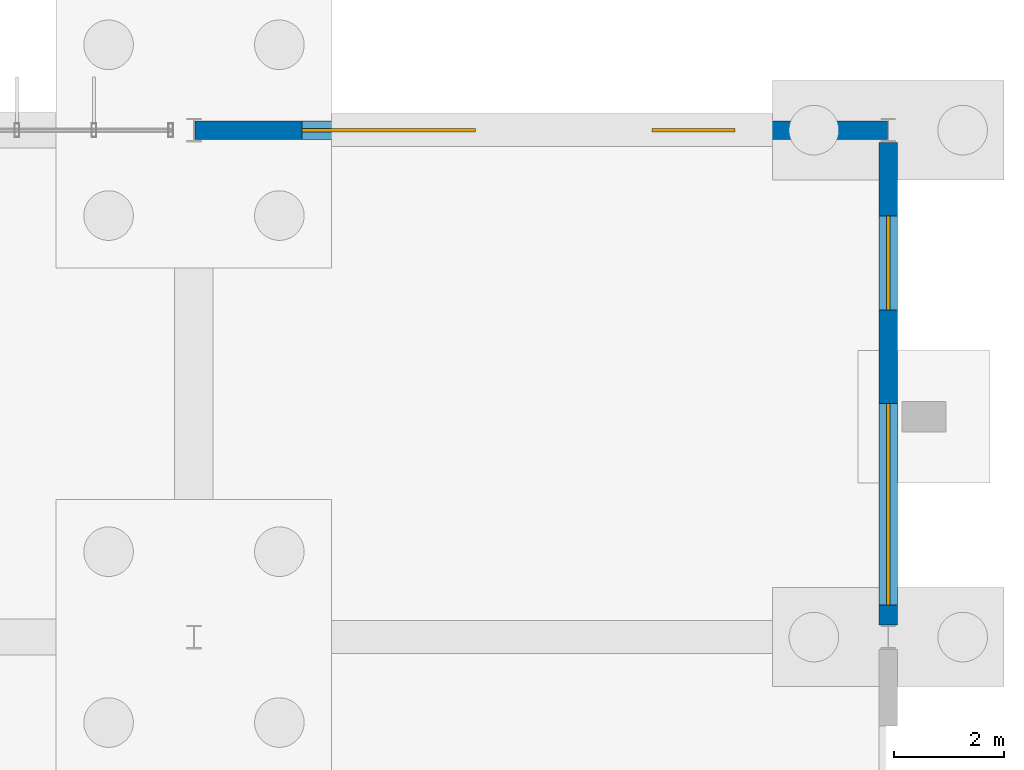
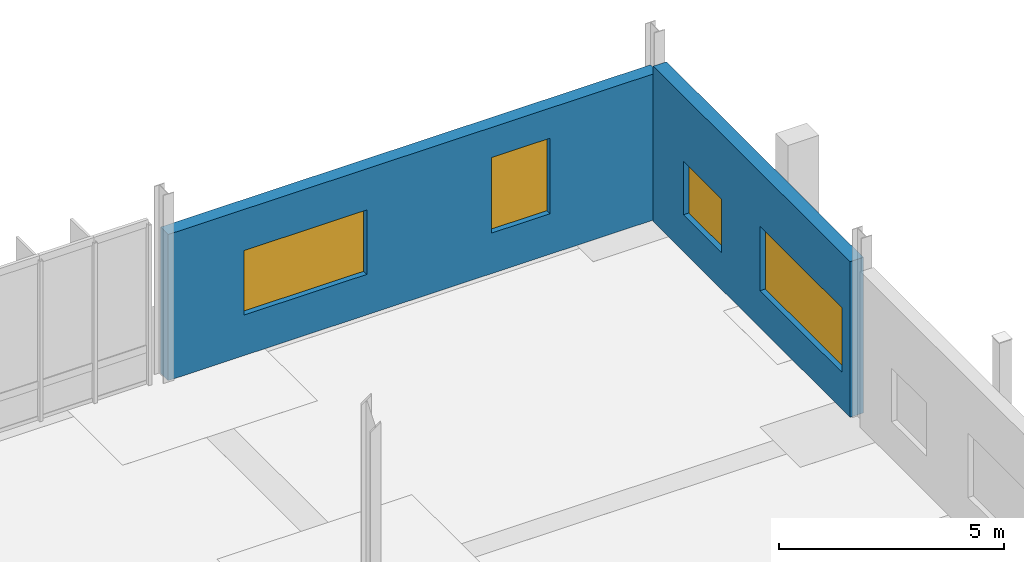
# One storey, part 89 of 119: 4 windows, 2 walls, 4 openings.
"""IFC4 building model written with IfcOpenShell, lengths in metres."""

from ifc_helpers import new_model, si_unit, derived_unit, direction, frame, frame_2d, origin, place, context, subcontext, project, spatial, rectangle, extrude, material, layer, layer_set, type_object, element, fill, save


model = new_model("IFC4")

# Units and contexts
model_context = context("Model", 3, precision=1e-05, world=origin(), true_north=direction((0.0, 1.0)))
body_context = subcontext(model_context, "Body", "Model", "MODEL_VIEW")
ifc_project = project(units=[si_unit("LENGTHUNIT", "METRE"), si_unit("AREAUNIT", "SQUARE_METRE"), si_unit("VOLUMEUNIT", "CUBIC_METRE"), si_unit("PLANEANGLEUNIT", "RADIAN"), si_unit("MASSUNIT", "GRAM", prefix="KILO"), derived_unit("THERMALTRANSMITTANCEUNIT", [(si_unit("MASSUNIT", "GRAM", prefix="KILO"), 1), (si_unit("TIMEUNIT", "SECOND"), -3), (si_unit("THERMODYNAMICTEMPERATUREUNIT", "KELVIN"), -1)])], contexts=[model_context])

# Site, building, storey
site_placement = place(None, origin())
site = spatial("IfcSite", under=ifc_project, at=site_placement, CompositionType="ELEMENT")
building_placement = place(site_placement, origin())
building = spatial("IfcBuilding", under=site, at=building_placement, Name="Makaiwela Harbour Ferry Terminal", CompositionType="ELEMENT")
storey_placement = place(building_placement, origin())
storey = spatial("IfcBuildingStorey", under=building, at=storey_placement, Name="L00", CompositionType="ELEMENT", Elevation=0.0)

# Wall, openings, windows
ifc_material_1 = material(Name="Precast concrete f'c 40 MPa (6000 psi) with Hawaiian basalt rainscreen", Category="masonry")
ifc_layer = layer(ifc_material_1, 0.340087890625)
ifc_layer_set = layer_set([ifc_layer], Name="Precast concrete f'c 40 MPa (6000 psi) with Hawaiian basalt rainscreen")
wall_type = type_object("IfcWallType", Name="ENV-WL-EXT340", PredefinedType="SOLIDWALL", material=ifc_layer_set)
wall_1_placement = place(storey_placement, frame((180.0, 94.776611328125, 0.0), z_axis=(0.0, 0.0, 1.0), x_axis=(0.0, -1.0, 0.0)))
wall_1 = element("IfcWall", 1, at=wall_1_placement, inside=storey, type_object=wall_type, Name="Exterior Wall EW-066", PredefinedType="SOLIDWALL", context=body_context, shape_type="SweptSolid", body=[
    extrude(rectangle(XDim=8.753173828125, YDim=0.340087890625, at=frame_2d((4.37646484375, 0.0))), origin(), (0.0, 0.0, 1.0), 4.221923828125),
])
opening_1_placement = place(wall_1_placement, frame((1.338134765625, 0.0, 1.0)))
opening_1 = element("IfcOpeningElement", 2, at=opening_1_placement, cuts=wall_1, Name="Opening W-11", PredefinedType="OPENING", context=body_context, shape_type="SweptSolid", body=[
    extrude(rectangle(XDim=1.699951171875, YDim=1.449951171875, at=frame_2d((0.85009765625, 0.72509765625))), frame((0.0, 0.179931640625, 0.0), z_axis=(0.0, -1.0, 0.0), x_axis=(1.0, 0.0, 0.0)), (0.0, 0.0, 1.0), 0.360107421875),
])
opening_2_placement = place(wall_1_placement, frame((4.73974609375, 0.0, 1.0)))
opening_2 = element("IfcOpeningElement", 3, at=opening_2_placement, cuts=wall_1, Name="Opening W-30", PredefinedType="OPENING", context=body_context, shape_type="SweptSolid", body=[
    extrude(rectangle(XDim=3.64990234375, YDim=1.75, at=frame_2d((1.824951171875, 0.875))), frame((0.0, 0.179931640625, 0.0), z_axis=(0.0, -1.0, 0.0), x_axis=(1.0, 0.0, 0.0)), (0.0, 0.0, 1.0), 0.360107421875),
])
ifc_material_2 = material(Name="Laminated hurricane-impact low-E insulated glazing", Category="glass")
window_type_1 = type_object("IfcWindowType", Name="ENV-WIN-11", PartitioningType="SINGLE_PANEL", PredefinedType="WINDOW", material=ifc_material_2)
window_1_placement = place(opening_1_placement, origin())
window_1 = element("IfcWindow", 4, at=window_1_placement, inside=storey, type_object=window_type_1, Name="Exterior Window W-11", OverallHeight=1.449951171875, OverallWidth=1.699951171875, PartitioningType="SINGLE_PANEL", PredefinedType="WINDOW", context=body_context, shape_type="SweptSolid", body=[
    extrude(rectangle(XDim=1.699951171875, YDim=1.449951171875, at=frame_2d((0.85009765625, 0.72509765625))), frame((0.0, 0.030029296875, 0.0), z_axis=(0.0, -1.0, 0.0), x_axis=(1.0, 0.0, 0.0)), (0.0, 0.0, 1.0), 0.06005859375),
])
fill(opening_1, window_1)
window_type_2 = type_object("IfcWindowType", Name="ENV-WIN-30", PartitioningType="SINGLE_PANEL", PredefinedType="WINDOW", material=ifc_material_2)
window_2_placement = place(opening_2_placement, origin())
window_2 = element("IfcWindow", 5, at=window_2_placement, inside=storey, type_object=window_type_2, Name="Exterior Window W-30", OverallHeight=1.75, OverallWidth=3.64990234375, PartitioningType="SINGLE_PANEL", PredefinedType="WINDOW", context=body_context, shape_type="SweptSolid", body=[
    extrude(rectangle(XDim=3.64990234375, YDim=1.75, at=frame_2d((1.824951171875, 0.875))), frame((0.0, 0.030029296875, 0.0), z_axis=(0.0, -1.0, 0.0), x_axis=(1.0, 0.0, 0.0)), (0.0, 0.0, 1.0), 0.06005859375),
])
fill(opening_2, window_2)

wall_2_placement = place(storey_placement, frame((167.4150390625, 95.0, 0.0), z_axis=(0.0, 0.0, 1.0), x_axis=(1.0, 0.0, 0.0)))
wall_2 = element("IfcWall", 6, at=wall_2_placement, inside=storey, type_object=wall_type, Name="Exterior Wall EW-078", PredefinedType="SOLIDWALL", context=body_context, shape_type="SweptSolid", body=[
    extrude(rectangle(XDim=12.570068359375, YDim=0.340087890625, at=frame_2d((6.28515625, 0.0))), origin(), (0.0, 0.0, 1.0), 3.965087890625),
])
opening_3_placement = place(wall_2_placement, frame((1.944580078125, 0.0, 1.10009765625)))
opening_3 = element("IfcOpeningElement", 7, at=opening_3_placement, cuts=wall_2, Name="Opening W-28", PredefinedType="OPENING", context=body_context, shape_type="SweptSolid", body=[
    extrude(rectangle(XDim=3.14990234375, YDim=1.75, at=frame_2d((1.574951171875, 0.875))), frame((0.0, 0.179931640625, 0.0), z_axis=(0.0, -1.0, 0.0), x_axis=(1.0, 0.0, 0.0)), (0.0, 0.0, 1.0), 0.360107421875),
])
opening_4_placement = place(wall_2_placement, frame((8.30029296875, 0.0, 1.10009765625)))
opening_4 = element("IfcOpeningElement", 8, at=opening_4_placement, cuts=wall_2, Name="Opening W-31", PredefinedType="OPENING", context=body_context, shape_type="SweptSolid", body=[
    extrude(rectangle(XDim=1.5, YDim=2.050048828125, at=frame_2d((0.75, 1.02490234375))), frame((0.0, 0.179931640625, 0.0), z_axis=(0.0, -1.0, 0.0), x_axis=(1.0, 0.0, 0.0)), (0.0, 0.0, 1.0), 0.360107421875),
])
window_type_3 = type_object("IfcWindowType", Name="ENV-WIN-28", PartitioningType="SINGLE_PANEL", PredefinedType="WINDOW", material=ifc_material_2)
window_3_placement = place(opening_3_placement, origin())
window_3 = element("IfcWindow", 9, at=window_3_placement, inside=storey, type_object=window_type_3, Name="Exterior Window W-28", OverallHeight=1.75, OverallWidth=3.14990234375, PartitioningType="SINGLE_PANEL", PredefinedType="WINDOW", context=body_context, shape_type="SweptSolid", body=[
    extrude(rectangle(XDim=3.14990234375, YDim=1.75, at=frame_2d((1.574951171875, 0.875))), frame((0.0, 0.030029296875, 0.0), z_axis=(0.0, -1.0, 0.0), x_axis=(1.0, 0.0, 0.0)), (0.0, 0.0, 1.0), 0.06005859375),
])
fill(opening_3, window_3)
window_type_4 = type_object("IfcWindowType", Name="ENV-WIN-31", PartitioningType="SINGLE_PANEL", PredefinedType="WINDOW", material=ifc_material_2)
window_4_placement = place(opening_4_placement, origin())
window_4 = element("IfcWindow", 10, at=window_4_placement, inside=storey, type_object=window_type_4, Name="Exterior Window W-31", OverallHeight=2.050048828125, OverallWidth=1.5, PartitioningType="SINGLE_PANEL", PredefinedType="WINDOW", context=body_context, shape_type="SweptSolid", body=[
    extrude(rectangle(XDim=1.5, YDim=2.050048828125, at=frame_2d((0.75, 1.02490234375))), frame((0.0, 0.030029296875, 0.0), z_axis=(0.0, -1.0, 0.0), x_axis=(1.0, 0.0, 0.0)), (0.0, 0.0, 1.0), 0.06005859375),
])
fill(opening_4, window_4)

save(model, "model.ifc")
